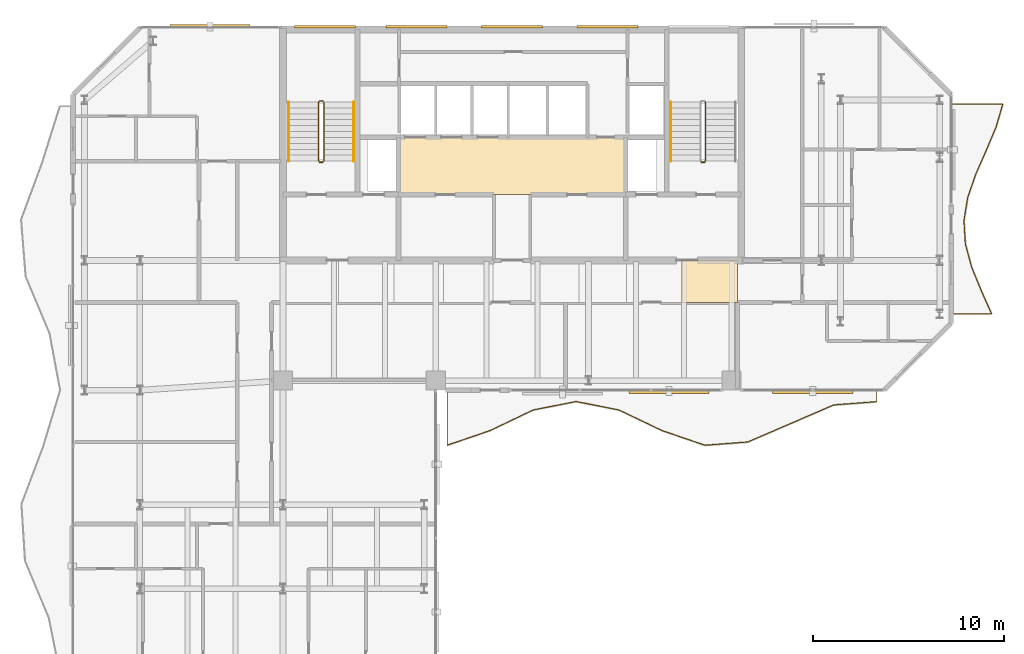
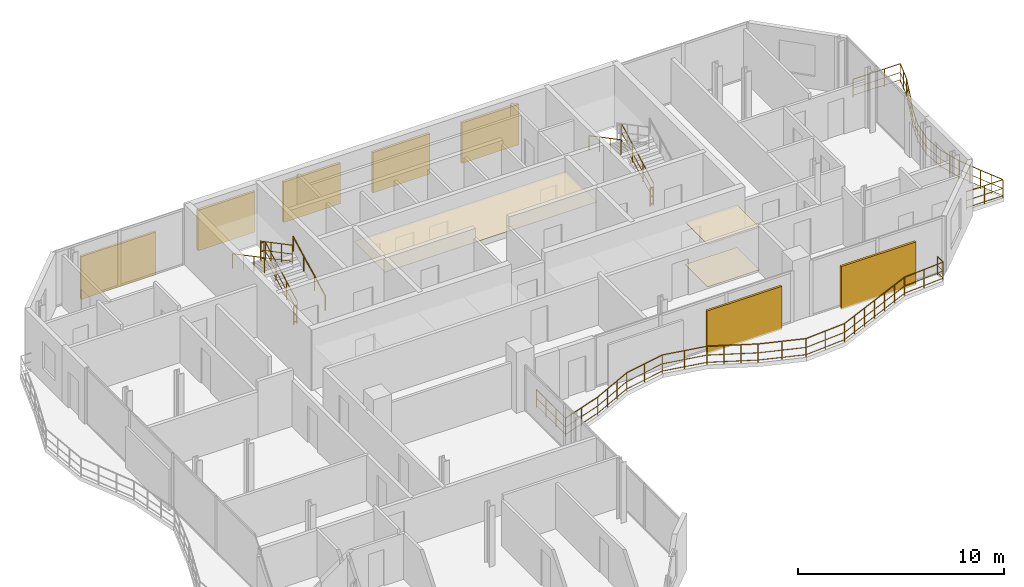
# One storey, part 22 of 23: 11 railings, 7 shading devices, 3 coverings.
"""IFC4 building model written with IfcOpenShell, lengths in metres."""

from ifc_helpers import new_model, si_unit, direction, frame, origin, origin_2d, place, context, subcontext, project, spatial, polyline, rectangle, circle, outline, extrude, material, layer, layer_set, type_object, element, save


model = new_model("IFC4")

# Units and contexts
model_context = context("Model", 3, precision=1e-05, world=origin(), true_north=direction((0.0, 1.0)))
body_context = subcontext(model_context, "Body", "Model", "MODEL_VIEW")
ifc_project = project(units=[si_unit("LENGTHUNIT", "METRE"), si_unit("AREAUNIT", "SQUARE_METRE"), si_unit("VOLUMEUNIT", "CUBIC_METRE"), si_unit("PLANEANGLEUNIT", "RADIAN"), si_unit("MASSUNIT", "GRAM", prefix="KILO")], contexts=[model_context])

# Site, building, storey
site_placement = place(None, origin())
site = spatial("IfcSite", under=ifc_project, at=site_placement, CompositionType="ELEMENT")
building_placement = place(site_placement, origin())
building = spatial("IfcBuilding", under=site, at=building_placement, Name="Catumbela Crestline Tower", CompositionType="ELEMENT")
storey_placement = place(building_placement, frame((0.0, 0.0, 201.0)))
storey = spatial("IfcBuildingStorey", under=building, at=storey_placement, Name="L52", CompositionType="ELEMENT", Elevation=201.0)

# Coverings
ifc_material_1 = material(Name="Mineral-fibre acoustic ceiling")
ifc_layer_1 = layer(ifc_material_1, 0.03, Name="Mineral-fibre acoustic ceiling")
ifc_layer_set_1 = layer_set([ifc_layer_1], Name="Mineral-fibre acoustic ceiling")
covering_type_1 = type_object("IfcCoveringType", Name="CC-AC", PredefinedType="CEILING", material=ifc_layer_set_1)
covering_1_placement = place(storey_placement, frame((0.0, 0.0, 2.65)))
element("IfcCovering", 1, at=covering_1_placement, inside=storey, type_object=covering_type_1, Name="L52 Lift Lobby Acoustic Ceiling", PredefinedType="CEILING", context=body_context, shape_type="SweptSolid", body=[
    extrude(outline(polyline([(22.05, 34.25), (33.95, 34.25), (33.95, 37.25), (22.05, 37.25), (22.05, 34.25)])), origin(), (0.0, 0.0, 1.0), 0.03),
])
covering_2_placement = place(storey_placement, frame((0.0, 0.0, 2.52)))
element("IfcCovering", 2, at=covering_2_placement, inside=storey, type_object=covering_type_1, Name="L52 Corridor Acoustic Ceiling Bay 8", PredefinedType="CEILING", context=body_context, shape_type="SweptSolid", body=[
    extrude(outline(polyline([(36.9, 28.6), (39.8, 28.6), (39.8, 30.8), (36.9, 30.8), (36.9, 28.6)])), origin(), (0.0, 0.0, 1.0), 0.03),
])
ifc_material_2 = material(Name="Angolan grey-ochre granite", Category="masonry")
ifc_layer_2 = layer(ifc_material_2, 0.025, Name="Angolan grey-ochre granite")
ifc_layer_set_2 = layer_set([ifc_layer_2], Name="Angolan grey-ochre granite")
covering_type_2 = type_object("IfcCoveringType", Name="CF-GR", PredefinedType="FLOORING", material=ifc_layer_set_2)
covering_3_placement = place(storey_placement, origin())
element("IfcCovering", 3, at=covering_3_placement, inside=storey, type_object=covering_type_2, Name="L52 Corridor Granite Flooring Bay 8", PredefinedType="FLOORING", context=body_context, shape_type="SweptSolid", body=[
    extrude(outline(polyline([(36.9, 28.6), (39.8, 28.6), (39.8, 30.8), (36.9, 30.8), (36.9, 28.6)])), origin(), (0.0, 0.0, 1.0), 0.025),
])

# Railings
ifc_material_3 = material(Name="Stainless steel EN 1.4401", Category="steel")
railing_type_1 = type_object("IfcRailingType", Name="RB-1100", PredefinedType="BALUSTRADE", material=ifc_material_3)
railing_1_placement = place(storey_placement, frame((24.6, 23.94, 0.0)))
element("IfcRailing", 4, at=railing_1_placement, inside=storey, type_object=railing_type_1, Name="L52 Private Wave Balcony Balustrade 1", PredefinedType="BALUSTRADE", context=body_context, shape_type="SweptSolid", body=[
    extrude(circle(Radius=0.024, at=origin_2d()), frame((0.0, 0.0, 1.076), z_axis=(0.0, -1.0, 0.0), x_axis=(1.0, 0.0, 0.0)), (0.0, 0.0, 1.0), 2.8213),
    extrude(circle(Radius=0.0156, at=origin_2d()), frame((0.0, 0.0, 0.55), z_axis=(0.0, -1.0, 0.0), x_axis=(1.0, 0.0, 0.0)), (0.0, 0.0, 1.0), 2.8213),
    extrude(circle(Radius=0.0156, at=origin_2d()), frame((0.0, 0.0, 0.12), z_axis=(0.0, -1.0, 0.0), x_axis=(1.0, 0.0, 0.0)), (0.0, 0.0, 1.0), 2.8213),
    extrude(circle(Radius=0.024, at=origin_2d()), frame((0.0, -2.8213, 1.076), z_axis=(0.946065665735, 0.323974931311, 0.0), x_axis=(-0.323974931311, 0.946065665735, 0.0)), (0.0, 0.0, 1.0), 2.3783),
    extrude(circle(Radius=0.0156, at=origin_2d()), frame((0.0, -2.8213, 0.55), z_axis=(0.946065665735, 0.323974931311, 0.0), x_axis=(-0.323974931311, 0.946065665735, 0.0)), (0.0, 0.0, 1.0), 2.3783),
    extrude(circle(Radius=0.0156, at=origin_2d()), frame((0.0, -2.8213, 0.12), z_axis=(0.946065665735, 0.323974931311, 0.0), x_axis=(-0.323974931311, 0.946065665735, 0.0)), (0.0, 0.0, 1.0), 2.3783),
    extrude(circle(Radius=0.024, at=origin_2d()), frame((2.25, -2.0508, 1.076), z_axis=(0.902132186045, 0.431459753513, 0.0), x_axis=(-0.431459753513, 0.902132186045, 0.0)), (0.0, 0.0, 1.0), 2.4941),
    extrude(circle(Radius=0.0156, at=origin_2d()), frame((2.25, -2.0508, 0.55), z_axis=(0.902132186045, 0.431459753513, 0.0), x_axis=(-0.431459753513, 0.902132186045, 0.0)), (0.0, 0.0, 1.0), 2.4941),
    extrude(circle(Radius=0.0156, at=origin_2d()), frame((2.25, -2.0508, 0.12), z_axis=(0.902132186045, 0.431459753513, 0.0), x_axis=(-0.431459753513, 0.902132186045, 0.0)), (0.0, 0.0, 1.0), 2.4941),
    extrude(circle(Radius=0.024, at=origin_2d()), frame((4.5, -0.9747, 1.076), z_axis=(0.981022553047, 0.193893657484, 0.0), x_axis=(-0.193893657484, 0.981022553047, 0.0)), (0.0, 0.0, 1.0), 2.2935),
    extrude(circle(Radius=0.0156, at=origin_2d()), frame((4.5, -0.9747, 0.55), z_axis=(0.981022553047, 0.193893657484, 0.0), x_axis=(-0.193893657484, 0.981022553047, 0.0)), (0.0, 0.0, 1.0), 2.2935),
    extrude(circle(Radius=0.0156, at=origin_2d()), frame((4.5, -0.9747, 0.12), z_axis=(0.981022553047, 0.193893657484, 0.0), x_axis=(-0.193893657484, 0.981022553047, 0.0)), (0.0, 0.0, 1.0), 2.2935),
    extrude(circle(Radius=0.024, at=origin_2d()), frame((6.75, -0.53, 1.076), z_axis=(0.981022553047, -0.193893657484, 0.0), x_axis=(0.193893657484, 0.981022553047, 0.0)), (0.0, 0.0, 1.0), 2.2935),
    extrude(circle(Radius=0.0156, at=origin_2d()), frame((6.75, -0.53, 0.55), z_axis=(0.981022553047, -0.193893657484, 0.0), x_axis=(0.193893657484, 0.981022553047, 0.0)), (0.0, 0.0, 1.0), 2.2935),
    extrude(circle(Radius=0.0156, at=origin_2d()), frame((6.75, -0.53, 0.12), z_axis=(0.981022553047, -0.193893657484, 0.0), x_axis=(0.193893657484, 0.981022553047, 0.0)), (0.0, 0.0, 1.0), 2.2935),
    extrude(circle(Radius=0.024, at=origin_2d()), frame((9.0, -0.9747, 1.076), z_axis=(0.902132186045, -0.431459753513, 0.0), x_axis=(0.431459753513, 0.902132186045, 0.0)), (0.0, 0.0, 1.0), 2.4941),
    extrude(circle(Radius=0.0156, at=origin_2d()), frame((9.0, -0.9747, 0.55), z_axis=(0.902132186045, -0.431459753513, 0.0), x_axis=(0.431459753513, 0.902132186045, 0.0)), (0.0, 0.0, 1.0), 2.4941),
    extrude(circle(Radius=0.0156, at=origin_2d()), frame((9.0, -0.9747, 0.12), z_axis=(0.902132186045, -0.431459753513, 0.0), x_axis=(0.431459753513, 0.902132186045, 0.0)), (0.0, 0.0, 1.0), 2.4941),
    extrude(circle(Radius=0.024, at=origin_2d()), frame((11.25, -2.0508, 1.076), z_axis=(0.946065665735, -0.323974931311, 0.0), x_axis=(0.323974931311, 0.946065665735, 0.0)), (0.0, 0.0, 1.0), 2.3783),
    extrude(circle(Radius=0.0156, at=origin_2d()), frame((11.25, -2.0508, 0.55), z_axis=(0.946065665735, -0.323974931311, 0.0), x_axis=(0.323974931311, 0.946065665735, 0.0)), (0.0, 0.0, 1.0), 2.3783),
    extrude(circle(Radius=0.0156, at=origin_2d()), frame((11.25, -2.0508, 0.12), z_axis=(0.946065665735, -0.323974931311, 0.0), x_axis=(0.323974931311, 0.946065665735, 0.0)), (0.0, 0.0, 1.0), 2.3783),
    extrude(circle(Radius=0.024, at=origin_2d()), frame((13.5, -2.8213, 1.076), z_axis=(0.997141170455, 0.075561142028, 0.0), x_axis=(-0.075561142028, 0.997141170455, 0.0)), (0.0, 0.0, 1.0), 2.2565),
    extrude(circle(Radius=0.0156, at=origin_2d()), frame((13.5, -2.8213, 0.55), z_axis=(0.997141170455, 0.075561142028, 0.0), x_axis=(-0.075561142028, 0.997141170455, 0.0)), (0.0, 0.0, 1.0), 2.2565),
    extrude(circle(Radius=0.0156, at=origin_2d()), frame((13.5, -2.8213, 0.12), z_axis=(0.997141170455, 0.075561142028, 0.0), x_axis=(-0.075561142028, 0.997141170455, 0.0)), (0.0, 0.0, 1.0), 2.2565),
    extrude(circle(Radius=0.024, at=origin_2d()), frame((15.75, -2.6508, 1.076), z_axis=(0.918179780553, 0.396163969316, 0.0), x_axis=(-0.396163969316, 0.918179780553, 0.0)), (0.0, 0.0, 1.0), 2.4505),
    extrude(circle(Radius=0.0156, at=origin_2d()), frame((15.75, -2.6508, 0.55), z_axis=(0.918179780553, 0.396163969316, 0.0), x_axis=(-0.396163969316, 0.918179780553, 0.0)), (0.0, 0.0, 1.0), 2.4505),
    extrude(circle(Radius=0.0156, at=origin_2d()), frame((15.75, -2.6508, 0.12), z_axis=(0.918179780553, 0.396163969316, 0.0), x_axis=(-0.396163969316, 0.918179780553, 0.0)), (0.0, 0.0, 1.0), 2.4505),
    extrude(circle(Radius=0.024, at=origin_2d()), frame((18.0, -1.68, 1.076), z_axis=(0.918179780553, 0.396163969316, 0.0), x_axis=(-0.396163969316, 0.918179780553, 0.0)), (0.0, 0.0, 1.0), 2.4505),
    extrude(circle(Radius=0.0156, at=origin_2d()), frame((18.0, -1.68, 0.55), z_axis=(0.918179780553, 0.396163969316, 0.0), x_axis=(-0.396163969316, 0.918179780553, 0.0)), (0.0, 0.0, 1.0), 2.4505),
    extrude(circle(Radius=0.0156, at=origin_2d()), frame((18.0, -1.68, 0.12), z_axis=(0.918179780553, 0.396163969316, 0.0), x_axis=(-0.396163969316, 0.918179780553, 0.0)), (0.0, 0.0, 1.0), 2.4505),
    extrude(circle(Radius=0.024, at=origin_2d()), frame((20.25, -0.7092, 1.076), z_axis=(0.997141170455, 0.075561142028, 0.0), x_axis=(-0.075561142028, 0.997141170455, 0.0)), (0.0, 0.0, 1.0), 2.2565),
    extrude(circle(Radius=0.0156, at=origin_2d()), frame((20.25, -0.7092, 0.55), z_axis=(0.997141170455, 0.075561142028, 0.0), x_axis=(-0.075561142028, 0.997141170455, 0.0)), (0.0, 0.0, 1.0), 2.2565),
    extrude(circle(Radius=0.0156, at=origin_2d()), frame((20.25, -0.7092, 0.12), z_axis=(0.997141170455, 0.075561142028, 0.0), x_axis=(-0.075561142028, 0.997141170455, 0.0)), (0.0, 0.0, 1.0), 2.2565),
    extrude(circle(Radius=0.024, at=origin_2d()), frame((22.5, -0.5387, 1.076), z_axis=(0.0, 1.0, 0.0), x_axis=(-1.0, 0.0, 0.0)), (0.0, 0.0, 1.0), 0.5387),
    extrude(circle(Radius=0.0156, at=origin_2d()), frame((22.5, -0.5387, 0.55), z_axis=(0.0, 1.0, 0.0), x_axis=(-1.0, 0.0, 0.0)), (0.0, 0.0, 1.0), 0.5387),
    extrude(circle(Radius=0.0156, at=origin_2d()), frame((22.5, -0.5387, 0.12), z_axis=(0.0, 1.0, 0.0), x_axis=(-1.0, 0.0, 0.0)), (0.0, 0.0, 1.0), 0.5387),
    extrude(circle(Radius=0.021, at=origin_2d()), origin(), (0.0, 0.0, 1.0), 1.052),
    extrude(circle(Radius=0.021, at=origin_2d()), frame((0.0, -0.9404, 0.0)), (0.0, 0.0, 1.0), 1.052),
    extrude(circle(Radius=0.021, at=origin_2d()), frame((0.0, -1.8809, 0.0)), (0.0, 0.0, 1.0), 1.052),
    extrude(circle(Radius=0.021, at=origin_2d()), frame((0.0, -2.8213, 0.0)), (0.0, 0.0, 1.0), 1.052),
    extrude(circle(Radius=0.021, at=origin_2d()), frame((1.125, -2.4361, 0.0)), (0.0, 0.0, 1.0), 1.052),
    extrude(circle(Radius=0.021, at=origin_2d()), frame((2.25, -2.0508, 0.0)), (0.0, 0.0, 1.0), 1.052),
    extrude(circle(Radius=0.021, at=origin_2d()), frame((3.0, -1.6921, 0.0)), (0.0, 0.0, 1.0), 1.052),
    extrude(circle(Radius=0.021, at=origin_2d()), frame((3.75, -1.3334, 0.0)), (0.0, 0.0, 1.0), 1.052),
    extrude(circle(Radius=0.021, at=origin_2d()), frame((4.5, -0.9747, 0.0)), (0.0, 0.0, 1.0), 1.052),
    extrude(circle(Radius=0.021, at=origin_2d()), frame((5.625, -0.7524, 0.0)), (0.0, 0.0, 1.0), 1.052),
    extrude(circle(Radius=0.021, at=origin_2d()), frame((6.75, -0.53, 0.0)), (0.0, 0.0, 1.0), 1.052),
    extrude(circle(Radius=0.021, at=origin_2d()), frame((7.875, -0.7524, 0.0)), (0.0, 0.0, 1.0), 1.052),
    extrude(circle(Radius=0.021, at=origin_2d()), frame((9.0, -0.9747, 0.0)), (0.0, 0.0, 1.0), 1.052),
    extrude(circle(Radius=0.021, at=origin_2d()), frame((9.75, -1.3334, 0.0)), (0.0, 0.0, 1.0), 1.052),
    extrude(circle(Radius=0.021, at=origin_2d()), frame((10.5, -1.6921, 0.0)), (0.0, 0.0, 1.0), 1.052),
    extrude(circle(Radius=0.021, at=origin_2d()), frame((11.25, -2.0508, 0.0)), (0.0, 0.0, 1.0), 1.052),
    extrude(circle(Radius=0.021, at=origin_2d()), frame((12.375, -2.4361, 0.0)), (0.0, 0.0, 1.0), 1.052),
    extrude(circle(Radius=0.021, at=origin_2d()), frame((13.5, -2.8213, 0.0)), (0.0, 0.0, 1.0), 1.052),
    extrude(circle(Radius=0.021, at=origin_2d()), frame((14.625, -2.7361, 0.0)), (0.0, 0.0, 1.0), 1.052),
    extrude(circle(Radius=0.021, at=origin_2d()), frame((15.75, -2.6508, 0.0)), (0.0, 0.0, 1.0), 1.052),
    extrude(circle(Radius=0.021, at=origin_2d()), frame((16.5, -2.3272, 0.0)), (0.0, 0.0, 1.0), 1.052),
    extrude(circle(Radius=0.021, at=origin_2d()), frame((17.25, -2.0036, 0.0)), (0.0, 0.0, 1.0), 1.052),
    extrude(circle(Radius=0.021, at=origin_2d()), frame((18.0, -1.68, 0.0)), (0.0, 0.0, 1.0), 1.052),
    extrude(circle(Radius=0.021, at=origin_2d()), frame((18.75, -1.3564, 0.0)), (0.0, 0.0, 1.0), 1.052),
    extrude(circle(Radius=0.021, at=origin_2d()), frame((19.5, -1.0328, 0.0)), (0.0, 0.0, 1.0), 1.052),
    extrude(circle(Radius=0.021, at=origin_2d()), frame((20.25, -0.7092, 0.0)), (0.0, 0.0, 1.0), 1.052),
    extrude(circle(Radius=0.021, at=origin_2d()), frame((21.375, -0.624, 0.0)), (0.0, 0.0, 1.0), 1.052),
    extrude(circle(Radius=0.021, at=origin_2d()), frame((22.5, -0.5387, 0.0)), (0.0, 0.0, 1.0), 1.052),
    extrude(circle(Radius=0.021, at=origin_2d()), frame((22.5, 0.0, 0.0)), (0.0, 0.0, 1.0), 1.052),
])
railing_2_placement = place(storey_placement, frame((51.06, 28.0, 0.0)))
element("IfcRailing", 5, at=railing_2_placement, inside=storey, type_object=railing_type_1, Name="L52 Private Wave Balcony Balustrade 2", PredefinedType="BALUSTRADE", context=body_context, shape_type="SweptSolid", body=[
    extrude(circle(Radius=0.024, at=origin_2d()), frame((0.0, 0.0, 1.076), z_axis=(1.0, 0.0, 0.0), x_axis=(0.0, 1.0, 0.0)), (0.0, 0.0, 1.0), 2.0571),
    extrude(circle(Radius=0.0156, at=origin_2d()), frame((0.0, 0.0, 0.55), z_axis=(1.0, 0.0, 0.0), x_axis=(0.0, 1.0, 0.0)), (0.0, 0.0, 1.0), 2.0571),
    extrude(circle(Radius=0.0156, at=origin_2d()), frame((0.0, 0.0, 0.12), z_axis=(1.0, 0.0, 0.0), x_axis=(0.0, 1.0, 0.0)), (0.0, 0.0, 1.0), 2.0571),
    extrude(circle(Radius=0.024, at=origin_2d()), frame((2.0571, 0.0, 1.076), z_axis=(-0.406762530964, 0.913533931173, 0.0), x_axis=(-0.913533931173, -0.406762530964, 0.0)), (0.0, 0.0, 1.0), 1.3379),
    extrude(circle(Radius=0.0156, at=origin_2d()), frame((2.0571, 0.0, 0.55), z_axis=(-0.406762530964, 0.913533931173, 0.0), x_axis=(-0.913533931173, -0.406762530964, 0.0)), (0.0, 0.0, 1.0), 1.3379),
    extrude(circle(Radius=0.0156, at=origin_2d()), frame((2.0571, 0.0, 0.12), z_axis=(-0.406762530964, 0.913533931173, 0.0), x_axis=(-0.913533931173, -0.406762530964, 0.0)), (0.0, 0.0, 1.0), 1.3379),
    extrude(circle(Radius=0.024, at=origin_2d()), frame((1.5129, 1.2222, 1.076), z_axis=(-0.379481592709, 0.92519928707, 0.0), x_axis=(-0.92519928707, -0.379481592709, 0.0)), (0.0, 0.0, 1.0), 1.321),
    extrude(circle(Radius=0.0156, at=origin_2d()), frame((1.5129, 1.2222, 0.55), z_axis=(-0.379481592709, 0.92519928707, 0.0), x_axis=(-0.92519928707, -0.379481592709, 0.0)), (0.0, 0.0, 1.0), 1.321),
    extrude(circle(Radius=0.0156, at=origin_2d()), frame((1.5129, 1.2222, 0.12), z_axis=(-0.379481592709, 0.92519928707, 0.0), x_axis=(-0.92519928707, -0.379481592709, 0.0)), (0.0, 0.0, 1.0), 1.321),
    extrude(circle(Radius=0.024, at=origin_2d()), frame((1.0116, 2.4444, 1.076), z_axis=(-0.260576771325, 0.96545313001, 0.0), x_axis=(-0.96545313001, -0.260576771325, 0.0)), (0.0, 0.0, 1.0), 1.266),
    extrude(circle(Radius=0.0156, at=origin_2d()), frame((1.0116, 2.4444, 0.55), z_axis=(-0.260576771325, 0.96545313001, 0.0), x_axis=(-0.96545313001, -0.260576771325, 0.0)), (0.0, 0.0, 1.0), 1.266),
    extrude(circle(Radius=0.0156, at=origin_2d()), frame((1.0116, 2.4444, 0.12), z_axis=(-0.260576771325, 0.96545313001, 0.0), x_axis=(-0.96545313001, -0.260576771325, 0.0)), (0.0, 0.0, 1.0), 1.266),
    extrude(circle(Radius=0.024, at=origin_2d()), frame((0.6817, 3.6667, 1.076), z_axis=(-0.06035450881, 0.998177004978, 0.0), x_axis=(-0.998177004978, -0.06035450881, 0.0)), (0.0, 0.0, 1.0), 1.2244),
    extrude(circle(Radius=0.0156, at=origin_2d()), frame((0.6817, 3.6667, 0.55), z_axis=(-0.06035450881, 0.998177004978, 0.0), x_axis=(-0.998177004978, -0.06035450881, 0.0)), (0.0, 0.0, 1.0), 1.2244),
    extrude(circle(Radius=0.0156, at=origin_2d()), frame((0.6817, 3.6667, 0.12), z_axis=(-0.06035450881, 0.998177004978, 0.0), x_axis=(-0.998177004978, -0.06035450881, 0.0)), (0.0, 0.0, 1.0), 1.2244),
    extrude(circle(Radius=0.024, at=origin_2d()), frame((0.6078, 4.8889, 1.076), z_axis=(0.162277672782, 0.986745132705, 0.0), x_axis=(-0.986745132705, 0.162277672782, 0.0)), (0.0, 0.0, 1.0), 1.2386),
    extrude(circle(Radius=0.0156, at=origin_2d()), frame((0.6078, 4.8889, 0.55), z_axis=(0.162277672782, 0.986745132705, 0.0), x_axis=(-0.986745132705, 0.162277672782, 0.0)), (0.0, 0.0, 1.0), 1.2386),
    extrude(circle(Radius=0.0156, at=origin_2d()), frame((0.6078, 4.8889, 0.12), z_axis=(0.162277672782, 0.986745132705, 0.0), x_axis=(-0.986745132705, 0.162277672782, 0.0)), (0.0, 0.0, 1.0), 1.2386),
    extrude(circle(Radius=0.024, at=origin_2d()), frame((0.8088, 6.1111, 1.076), z_axis=(0.328097905892, 0.944643723395, 0.0), x_axis=(-0.944643723395, 0.328097905892, 0.0)), (0.0, 0.0, 1.0), 1.2938),
    extrude(circle(Radius=0.0156, at=origin_2d()), frame((0.8088, 6.1111, 0.55), z_axis=(0.328097905892, 0.944643723395, 0.0), x_axis=(-0.944643723395, 0.328097905892, 0.0)), (0.0, 0.0, 1.0), 1.2938),
    extrude(circle(Radius=0.0156, at=origin_2d()), frame((0.8088, 6.1111, 0.12), z_axis=(0.328097905892, 0.944643723395, 0.0), x_axis=(-0.944643723395, 0.328097905892, 0.0)), (0.0, 0.0, 1.0), 1.2938),
    extrude(circle(Radius=0.024, at=origin_2d()), frame((1.2333, 7.3333, 1.076), z_axis=(0.403420872886, 0.915014535032, 0.0), x_axis=(-0.915014535032, 0.403420872886, 0.0)), (0.0, 0.0, 1.0), 1.3358),
    extrude(circle(Radius=0.0156, at=origin_2d()), frame((1.2333, 7.3333, 0.55), z_axis=(0.403420872886, 0.915014535032, 0.0), x_axis=(-0.915014535032, 0.403420872886, 0.0)), (0.0, 0.0, 1.0), 1.3358),
    extrude(circle(Radius=0.0156, at=origin_2d()), frame((1.2333, 7.3333, 0.12), z_axis=(0.403420872886, 0.915014535032, 0.0), x_axis=(-0.915014535032, 0.403420872886, 0.0)), (0.0, 0.0, 1.0), 1.3358),
    extrude(circle(Radius=0.024, at=origin_2d()), frame((1.7722, 8.5556, 1.076), z_axis=(0.388562501321, 0.921422369257, 0.0), x_axis=(-0.921422369257, 0.388562501321, 0.0)), (0.0, 0.0, 1.0), 1.3264),
    extrude(circle(Radius=0.0156, at=origin_2d()), frame((1.7722, 8.5556, 0.55), z_axis=(0.388562501321, 0.921422369257, 0.0), x_axis=(-0.921422369257, 0.388562501321, 0.0)), (0.0, 0.0, 1.0), 1.3264),
    extrude(circle(Radius=0.0156, at=origin_2d()), frame((1.7722, 8.5556, 0.12), z_axis=(0.388562501321, 0.921422369257, 0.0), x_axis=(-0.921422369257, 0.388562501321, 0.0)), (0.0, 0.0, 1.0), 1.3264),
    extrude(circle(Radius=0.024, at=origin_2d()), frame((2.2876, 9.7778, 1.076), z_axis=(0.282187572422, 0.959359251777, 0.0), x_axis=(-0.959359251777, 0.282187572422, 0.0)), (0.0, 0.0, 1.0), 1.274),
    extrude(circle(Radius=0.0156, at=origin_2d()), frame((2.2876, 9.7778, 0.55), z_axis=(0.282187572422, 0.959359251777, 0.0), x_axis=(-0.959359251777, 0.282187572422, 0.0)), (0.0, 0.0, 1.0), 1.274),
    extrude(circle(Radius=0.0156, at=origin_2d()), frame((2.2876, 9.7778, 0.12), z_axis=(0.282187572422, 0.959359251777, 0.0), x_axis=(-0.959359251777, 0.282187572422, 0.0)), (0.0, 0.0, 1.0), 1.274),
    extrude(circle(Radius=0.024, at=origin_2d()), frame((2.6471, 11.0, 1.076), z_axis=(-1.0, 0.0, 0.0), x_axis=(0.0, -1.0, 0.0)), (0.0, 0.0, 1.0), 2.6471),
    extrude(circle(Radius=0.0156, at=origin_2d()), frame((2.6471, 11.0, 0.55), z_axis=(-1.0, 0.0, 0.0), x_axis=(0.0, -1.0, 0.0)), (0.0, 0.0, 1.0), 2.6471),
    extrude(circle(Radius=0.0156, at=origin_2d()), frame((2.6471, 11.0, 0.12), z_axis=(-1.0, 0.0, 0.0), x_axis=(0.0, -1.0, 0.0)), (0.0, 0.0, 1.0), 2.6471),
    extrude(circle(Radius=0.021, at=origin_2d()), origin(), (0.0, 0.0, 1.0), 1.052),
    extrude(circle(Radius=0.021, at=origin_2d()), frame((1.0285, 0.0, 0.0)), (0.0, 0.0, 1.0), 1.052),
    extrude(circle(Radius=0.021, at=origin_2d()), frame((2.0571, 0.0, 0.0)), (0.0, 0.0, 1.0), 1.052),
    extrude(circle(Radius=0.021, at=origin_2d()), frame((1.785, 0.6111, 0.0)), (0.0, 0.0, 1.0), 1.052),
    extrude(circle(Radius=0.021, at=origin_2d()), frame((1.5129, 1.2222, 0.0)), (0.0, 0.0, 1.0), 1.052),
    extrude(circle(Radius=0.021, at=origin_2d()), frame((1.2622, 1.8333, 0.0)), (0.0, 0.0, 1.0), 1.052),
    extrude(circle(Radius=0.021, at=origin_2d()), frame((1.0116, 2.4444, 0.0)), (0.0, 0.0, 1.0), 1.052),
    extrude(circle(Radius=0.021, at=origin_2d()), frame((0.8466, 3.0556, 0.0)), (0.0, 0.0, 1.0), 1.052),
    extrude(circle(Radius=0.021, at=origin_2d()), frame((0.6817, 3.6667, 0.0)), (0.0, 0.0, 1.0), 1.052),
    extrude(circle(Radius=0.021, at=origin_2d()), frame((0.6447, 4.2778, 0.0)), (0.0, 0.0, 1.0), 1.052),
    extrude(circle(Radius=0.021, at=origin_2d()), frame((0.6078, 4.8889, 0.0)), (0.0, 0.0, 1.0), 1.052),
    extrude(circle(Radius=0.021, at=origin_2d()), frame((0.7083, 5.5, 0.0)), (0.0, 0.0, 1.0), 1.052),
    extrude(circle(Radius=0.021, at=origin_2d()), frame((0.8088, 6.1111, 0.0)), (0.0, 0.0, 1.0), 1.052),
    extrude(circle(Radius=0.021, at=origin_2d()), frame((1.021, 6.7222, 0.0)), (0.0, 0.0, 1.0), 1.052),
    extrude(circle(Radius=0.021, at=origin_2d()), frame((1.2333, 7.3333, 0.0)), (0.0, 0.0, 1.0), 1.052),
    extrude(circle(Radius=0.021, at=origin_2d()), frame((1.5027, 7.9444, 0.0)), (0.0, 0.0, 1.0), 1.052),
    extrude(circle(Radius=0.021, at=origin_2d()), frame((1.7722, 8.5556, 0.0)), (0.0, 0.0, 1.0), 1.052),
    extrude(circle(Radius=0.021, at=origin_2d()), frame((2.0299, 9.1667, 0.0)), (0.0, 0.0, 1.0), 1.052),
    extrude(circle(Radius=0.021, at=origin_2d()), frame((2.2876, 9.7778, 0.0)), (0.0, 0.0, 1.0), 1.052),
    extrude(circle(Radius=0.021, at=origin_2d()), frame((2.4673, 10.3889, 0.0)), (0.0, 0.0, 1.0), 1.052),
    extrude(circle(Radius=0.021, at=origin_2d()), frame((2.6471, 11.0, 0.0)), (0.0, 0.0, 1.0), 1.052),
    extrude(circle(Radius=0.021, at=origin_2d()), frame((1.7647, 11.0, 0.0)), (0.0, 0.0, 1.0), 1.052),
    extrude(circle(Radius=0.021, at=origin_2d()), frame((0.8824, 11.0, 0.0)), (0.0, 0.0, 1.0), 1.052),
    extrude(circle(Radius=0.021, at=origin_2d()), frame((0.0, 11.0, 0.0)), (0.0, 0.0, 1.0), 1.052),
])
railing_type_2 = type_object("IfcRailingType", Name="RG-1100", PredefinedType="GUARDRAIL", material=ifc_material_3)
railing_3_placement = place(storey_placement, frame((18.14, 36.0, 0.1636)))
element("IfcRailing", 6, at=railing_3_placement, inside=storey, type_object=railing_type_2, Name="L52 ST-01 stair guard 1", PredefinedType="GUARDRAIL", context=body_context, shape_type="SweptSolid", body=[
    extrude(circle(Radius=0.024, at=origin_2d()), frame((0.0, 0.0, 1.076), z_axis=(0.0, 0.884350731049, 0.466823076222), x_axis=(-1.0, 0.0, 0.0)), (0.0, 0.0, 1.0), 3.5054),
    extrude(circle(Radius=0.0156, at=origin_2d()), frame((0.0, 0.0, 0.55), z_axis=(0.0, 0.884350731049, 0.466823076222), x_axis=(-1.0, 0.0, 0.0)), (0.0, 0.0, 1.0), 3.5054),
    extrude(circle(Radius=0.0156, at=origin_2d()), frame((0.0, 0.0, 0.12), z_axis=(0.0, 0.884350731049, 0.466823076222), x_axis=(-1.0, 0.0, 0.0)), (0.0, 0.0, 1.0), 3.5054),
    extrude(circle(Radius=0.021, at=origin_2d()), origin(), (0.0, 0.0, 1.0), 1.052),
    extrude(circle(Radius=0.021, at=origin_2d()), frame((0.0, 1.0333, 0.5455)), (0.0, 0.0, 1.0), 1.052),
    extrude(circle(Radius=0.021, at=origin_2d()), frame((0.0, 2.0667, 1.0909)), (0.0, 0.0, 1.0), 1.052),
    extrude(circle(Radius=0.021, at=origin_2d()), frame((0.0, 3.1, 1.6364)), (0.0, 0.0, 1.0), 1.052),
])
railing_4_placement = place(storey_placement, frame((18.09, 39.15, 1.8)))
element("IfcRailing", 7, at=railing_4_placement, inside=storey, type_object=railing_type_2, Name="L52 ST-01 stair guard 2", PredefinedType="GUARDRAIL", context=body_context, shape_type="SweptSolid", body=[
    extrude(circle(Radius=0.024, at=origin_2d()), frame((0.0, 0.0, 1.076), z_axis=(-1.0, 0.0, 0.0), x_axis=(0.0, -1.0, 0.0)), (0.0, 0.0, 1.0), 0.18),
    extrude(circle(Radius=0.0156, at=origin_2d()), frame((0.0, 0.0, 0.55), z_axis=(-1.0, 0.0, 0.0), x_axis=(0.0, -1.0, 0.0)), (0.0, 0.0, 1.0), 0.18),
    extrude(circle(Radius=0.0156, at=origin_2d()), frame((0.0, 0.0, 0.12), z_axis=(-1.0, 0.0, 0.0), x_axis=(0.0, -1.0, 0.0)), (0.0, 0.0, 1.0), 0.18),
    extrude(circle(Radius=0.021, at=origin_2d()), origin(), (0.0, 0.0, 1.0), 1.052),
    extrude(circle(Radius=0.021, at=origin_2d()), frame((-0.18, 0.0, 0.0)), (0.0, 0.0, 1.0), 1.052),
])
railing_5_placement = place(storey_placement, frame((17.86, 39.1, 1.9636)))
element("IfcRailing", 8, at=railing_5_placement, inside=storey, type_object=railing_type_2, Name="L52 ST-01 stair guard 3", PredefinedType="GUARDRAIL", context=body_context, shape_type="SweptSolid", body=[
    extrude(circle(Radius=0.024, at=origin_2d()), frame((0.0, 0.0, 1.076), z_axis=(0.0, -0.884350731049, 0.466823076222), x_axis=(1.0, 0.0, 0.0)), (0.0, 0.0, 1.0), 3.5054),
    extrude(circle(Radius=0.0156, at=origin_2d()), frame((0.0, 0.0, 0.55), z_axis=(0.0, -0.884350731049, 0.466823076222), x_axis=(1.0, 0.0, 0.0)), (0.0, 0.0, 1.0), 3.5054),
    extrude(circle(Radius=0.0156, at=origin_2d()), frame((0.0, 0.0, 0.12), z_axis=(0.0, -0.884350731049, 0.466823076222), x_axis=(1.0, 0.0, 0.0)), (0.0, 0.0, 1.0), 3.5054),
    extrude(circle(Radius=0.021, at=origin_2d()), origin(), (0.0, 0.0, 1.0), 1.052),
    extrude(circle(Radius=0.021, at=origin_2d()), frame((0.0, -1.0333, 0.5455)), (0.0, 0.0, 1.0), 1.052),
    extrude(circle(Radius=0.021, at=origin_2d()), frame((0.0, -2.0667, 1.0909)), (0.0, 0.0, 1.0), 1.052),
    extrude(circle(Radius=0.021, at=origin_2d()), frame((0.0, -3.1, 1.6364)), (0.0, 0.0, 1.0), 1.052),
])
railing_6_placement = place(storey_placement, frame((18.09, 35.95, 0.0)))
element("IfcRailing", 9, at=railing_6_placement, inside=storey, type_object=railing_type_2, Name="L52 ST-01 stair guard 4", PredefinedType="GUARDRAIL", context=body_context, shape_type="SweptSolid", body=[
    extrude(circle(Radius=0.024, at=origin_2d()), frame((0.0, 0.0, 1.076), z_axis=(-1.0, 0.0, 0.0), x_axis=(0.0, -1.0, 0.0)), (0.0, 0.0, 1.0), 0.18),
    extrude(circle(Radius=0.0156, at=origin_2d()), frame((0.0, 0.0, 0.55), z_axis=(-1.0, 0.0, 0.0), x_axis=(0.0, -1.0, 0.0)), (0.0, 0.0, 1.0), 0.18),
    extrude(circle(Radius=0.0156, at=origin_2d()), frame((0.0, 0.0, 0.12), z_axis=(-1.0, 0.0, 0.0), x_axis=(0.0, -1.0, 0.0)), (0.0, 0.0, 1.0), 0.18),
    extrude(circle(Radius=0.021, at=origin_2d()), origin(), (0.0, 0.0, 1.0), 1.052),
    extrude(circle(Radius=0.021, at=origin_2d()), frame((-0.18, 0.0, 0.0)), (0.0, 0.0, 1.0), 1.052),
])
railing_7_placement = place(storey_placement, frame((38.14, 36.0, 0.1636)))
element("IfcRailing", 10, at=railing_7_placement, inside=storey, type_object=railing_type_2, Name="L52 ST-02 stair guard 1", PredefinedType="GUARDRAIL", context=body_context, shape_type="SweptSolid", body=[
    extrude(circle(Radius=0.024, at=origin_2d()), frame((0.0, 0.0, 1.076), z_axis=(0.0, 0.884350731049, 0.466823076222), x_axis=(-1.0, 0.0, 0.0)), (0.0, 0.0, 1.0), 3.5054),
    extrude(circle(Radius=0.0156, at=origin_2d()), frame((0.0, 0.0, 0.55), z_axis=(0.0, 0.884350731049, 0.466823076222), x_axis=(-1.0, 0.0, 0.0)), (0.0, 0.0, 1.0), 3.5054),
    extrude(circle(Radius=0.0156, at=origin_2d()), frame((0.0, 0.0, 0.12), z_axis=(0.0, 0.884350731049, 0.466823076222), x_axis=(-1.0, 0.0, 0.0)), (0.0, 0.0, 1.0), 3.5054),
    extrude(circle(Radius=0.021, at=origin_2d()), origin(), (0.0, 0.0, 1.0), 1.052),
    extrude(circle(Radius=0.021, at=origin_2d()), frame((0.0, 1.0333, 0.5455)), (0.0, 0.0, 1.0), 1.052),
    extrude(circle(Radius=0.021, at=origin_2d()), frame((0.0, 2.0667, 1.0909)), (0.0, 0.0, 1.0), 1.052),
    extrude(circle(Radius=0.021, at=origin_2d()), frame((0.0, 3.1, 1.6364)), (0.0, 0.0, 1.0), 1.052),
])
railing_8_placement = place(storey_placement, frame((38.09, 35.95, 0.0)))
element("IfcRailing", 11, at=railing_8_placement, inside=storey, type_object=railing_type_2, Name="L52 ST-02 stair guard 4", PredefinedType="GUARDRAIL", context=body_context, shape_type="SweptSolid", body=[
    extrude(circle(Radius=0.024, at=origin_2d()), frame((0.0, 0.0, 1.076), z_axis=(-1.0, 0.0, 0.0), x_axis=(0.0, -1.0, 0.0)), (0.0, 0.0, 1.0), 0.18),
    extrude(circle(Radius=0.0156, at=origin_2d()), frame((0.0, 0.0, 0.55), z_axis=(-1.0, 0.0, 0.0), x_axis=(0.0, -1.0, 0.0)), (0.0, 0.0, 1.0), 0.18),
    extrude(circle(Radius=0.0156, at=origin_2d()), frame((0.0, 0.0, 0.12), z_axis=(-1.0, 0.0, 0.0), x_axis=(0.0, -1.0, 0.0)), (0.0, 0.0, 1.0), 0.18),
    extrude(circle(Radius=0.021, at=origin_2d()), origin(), (0.0, 0.0, 1.0), 1.052),
    extrude(circle(Radius=0.021, at=origin_2d()), frame((-0.18, 0.0, 0.0)), (0.0, 0.0, 1.0), 1.052),
])
railing_type_3 = type_object("IfcRailingType", Name="RH-0900", PredefinedType="HANDRAIL", material=ifc_material_3)
railing_9_placement = place(storey_placement, frame((19.7, 36.0, 0.1636)))
element("IfcRailing", 12, at=railing_9_placement, inside=storey, type_object=railing_type_3, Name="L52 ST-01 stair handrail 1", PredefinedType="HANDRAIL", context=body_context, shape_type="SweptSolid", body=[
    extrude(circle(Radius=0.024, at=origin_2d()), frame((0.0, 0.0, 0.876), z_axis=(0.0, 0.884350731049, 0.466823076222), x_axis=(-1.0, 0.0, 0.0)), (0.0, 0.0, 1.0), 3.5054),
    extrude(circle(Radius=0.021, at=origin_2d()), origin(), (0.0, 0.0, 1.0), 0.852),
    extrude(circle(Radius=0.021, at=origin_2d()), frame((0.0, 1.0333, 0.5455)), (0.0, 0.0, 1.0), 0.852),
    extrude(circle(Radius=0.021, at=origin_2d()), frame((0.0, 2.0667, 1.0909)), (0.0, 0.0, 1.0), 0.852),
    extrude(circle(Radius=0.021, at=origin_2d()), frame((0.0, 3.1, 1.6364)), (0.0, 0.0, 1.0), 0.852),
])
for number, where, name in (
    (13, (16.3, 39.1, 1.9636), "L52 ST-01 stair handrail 2"),
    (14, (36.3, 39.1, 1.9636), "L52 ST-02 stair handrail 2"),
):
    element("IfcRailing", number, at=place(storey_placement, frame(where)), inside=storey, type_object=railing_type_3, Name=name, PredefinedType="HANDRAIL", context=body_context, shape_type="SweptSolid", body=[
        extrude(circle(Radius=0.024, at=origin_2d()), frame((0.0, 0.0, 0.876), z_axis=(0.0, -0.884350731049, 0.466823076222), x_axis=(1.0, 0.0, 0.0)), (0.0, 0.0, 1.0), 3.5054),
        extrude(circle(Radius=0.021, at=origin_2d()), origin(), (0.0, 0.0, 1.0), 0.852),
        extrude(circle(Radius=0.021, at=origin_2d()), frame((0.0, -1.0333, 0.5455)), (0.0, 0.0, 1.0), 0.852),
        extrude(circle(Radius=0.021, at=origin_2d()), frame((0.0, -2.0667, 1.0909)), (0.0, 0.0, 1.0), 0.852),
        extrude(circle(Radius=0.021, at=origin_2d()), frame((0.0, -3.1, 1.6364)), (0.0, 0.0, 1.0), 0.852),
    ])

# Shading devices
ifc_material_4 = material(Name="Extruded terracotta ceramic", Category="masonry")
shading_device_type_1 = type_object("IfcShadingDeviceType", Name="ST-180", PredefinedType="USERDEFINED", material=ifc_material_4)
shading_device_1_placement = place(storey_placement, frame((23.0, 43.04, 0.55), z_axis=(0.0, 0.0, 1.0), x_axis=(1.0, 0.0, 0.0)))
element("IfcShadingDevice", 15, at=shading_device_1_placement, inside=storey, type_object=shading_device_type_1, Name="L52 Rear Core Terracotta Brise-Soleil Screen 620", ObjectType="SCREEN", PredefinedType="USERDEFINED", context=body_context, shape_type="SweptSolid", body=[
    extrude(rectangle(XDim=3.2, YDim=0.14, at=origin_2d()), origin(), (0.0, 0.0, 1.0), 2.4),
])
for number, where, z_axis, x_axis, name in (
    (16, (36.2125, 23.901, -0.1), (0.0, 0.0, 1.0), (1.0, 0.0, 0.0), "L52 Perforated Terracotta Solar Screen 628 (180 mm)"),
    (17, (43.75, 23.901, -0.1), (0.0, 0.0, 1.0), (1.0, 0.0, 0.0), "L52 Perforated Terracotta Solar Screen 629 (180 mm)"),
    (18, (12.18, 43.099, -0.1), (0.0, 0.0, 1.0), (-1.0, 0.0, 0.0), "L52 Perforated Terracotta Solar Screen 632 (180 mm)"),
):
    element("IfcShadingDevice", number, at=place(storey_placement, frame(where, z_axis=z_axis, x_axis=x_axis)), inside=storey, type_object=shading_device_type_1, Name=name, ObjectType="SCREEN", PredefinedType="USERDEFINED", context=body_context, shape_type="SweptSolid", body=[
        extrude(rectangle(XDim=4.2, YDim=0.12, at=origin_2d()), origin(), (0.0, 0.0, 1.0), 2.55),
    ])
shading_device_type_2 = type_object("IfcShadingDeviceType", Name="ST-260", PredefinedType="USERDEFINED", material=ifc_material_4)
for number, where, z_axis, x_axis, name in (
    (19, (18.2, 43.04, 0.55), (0.0, 0.0, 1.0), (1.0, 0.0, 0.0), "L52 Rear Core Terracotta Brise-Soleil Screen 619"),
    (20, (33.0, 43.04, 0.55), (0.0, 0.0, 1.0), (1.0, 0.0, 0.0), "L52 Rear Core Terracotta Brise-Soleil Screen 622"),
):
    element("IfcShadingDevice", number, at=place(storey_placement, frame(where, z_axis=z_axis, x_axis=x_axis)), inside=storey, type_object=shading_device_type_2, Name=name, ObjectType="SCREEN", PredefinedType="USERDEFINED", context=body_context, shape_type="SweptSolid", body=[
        extrude(rectangle(XDim=3.2, YDim=0.14, at=origin_2d()), origin(), (0.0, 0.0, 1.0), 2.4),
    ])
shading_device_type_3 = type_object("IfcShadingDeviceType", Name="ST-340", PredefinedType="USERDEFINED", material=ifc_material_4)
shading_device_2_placement = place(storey_placement, frame((28.0, 43.04, 0.55), z_axis=(0.0, 0.0, 1.0), x_axis=(1.0, 0.0, 0.0)))
element("IfcShadingDevice", 21, at=shading_device_2_placement, inside=storey, type_object=shading_device_type_3, Name="L52 Rear Core Terracotta Brise-Soleil Screen 621", ObjectType="SCREEN", PredefinedType="USERDEFINED", context=body_context, shape_type="SweptSolid", body=[
    extrude(rectangle(XDim=3.2, YDim=0.14, at=origin_2d()), origin(), (0.0, 0.0, 1.0), 2.4),
])

save(model, "model.ifc")
